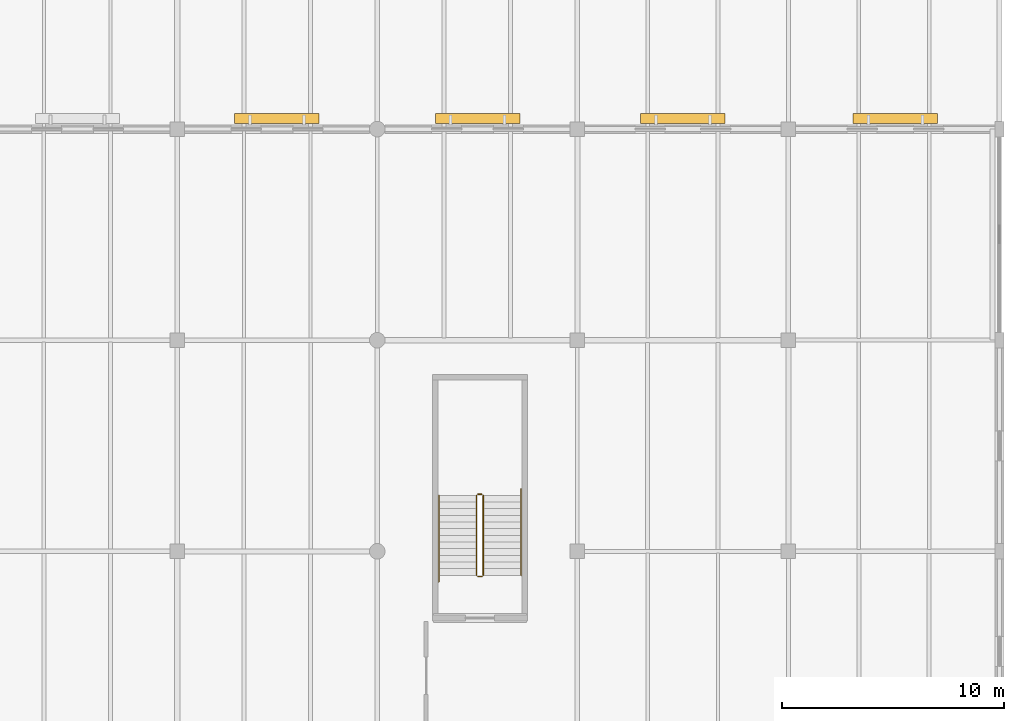
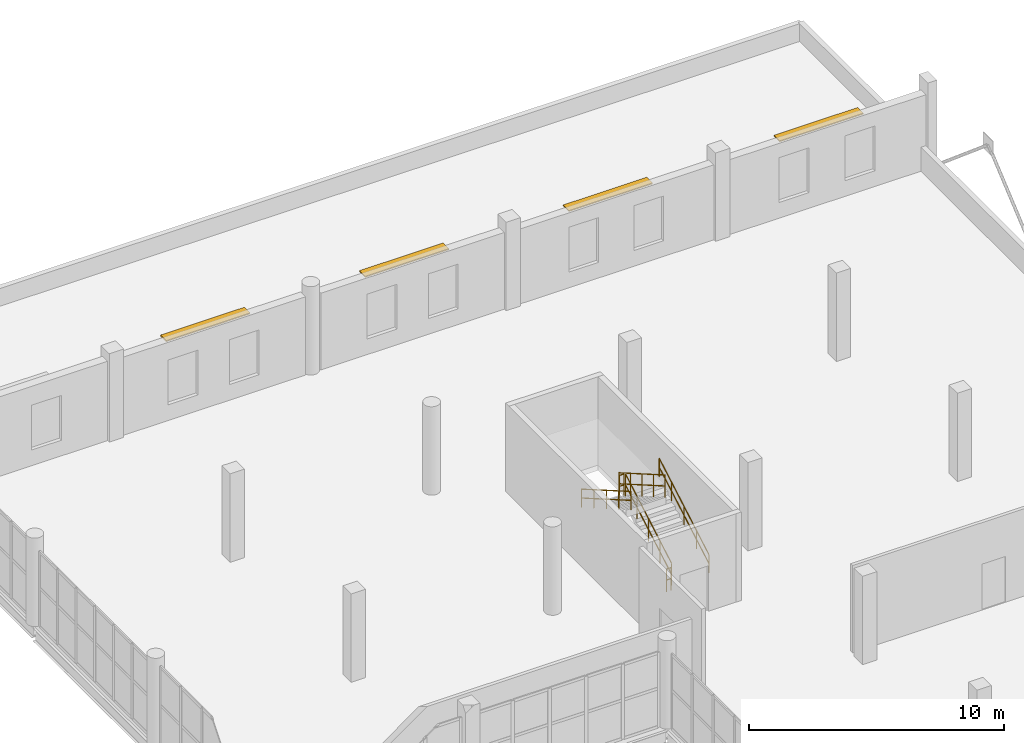
# One storey, part 85 of 85: 6 railings, 4 shading devices.
"""IFC4 building model written with IfcOpenShell, lengths in metres."""

from ifc_helpers import new_model, si_unit, direction, frame, origin, origin_2d, place, context, subcontext, project, spatial, rectangle, circle, extrude, material, layer, layer_set, type_object, element, save


model = new_model("IFC4")

# Units and contexts
model_context = context("Model", 3, precision=1e-05, world=origin(), true_north=direction((0.0, 1.0)))
body_context = subcontext(model_context, "Body", "Model", "MODEL_VIEW")
ifc_project = project(units=[si_unit("LENGTHUNIT", "METRE"), si_unit("AREAUNIT", "SQUARE_METRE"), si_unit("VOLUMEUNIT", "CUBIC_METRE"), si_unit("PLANEANGLEUNIT", "RADIAN"), si_unit("MASSUNIT", "GRAM", prefix="KILO")], contexts=[model_context])

# Site, building, storey
site_placement = place(None, origin())
site = spatial("IfcSite", under=ifc_project, at=site_placement, CompositionType="ELEMENT")
building_placement = place(site_placement, origin())
building = spatial("IfcBuilding", under=site, at=building_placement, Name="Marnock Terrace Opera House", CompositionType="ELEMENT")
storey_placement = place(building_placement, frame((0.0, 0.0, 10.199951171875)))
storey = spatial("IfcBuildingStorey", under=building, at=storey_placement, Name="L02", CompositionType="ELEMENT", Elevation=10.199951171875)

# Railings
ifc_material_1 = material(Name="Architectural bronze balustrade")
railing_type_1 = type_object("IfcRailingType", Name="RL-GUARD-1100", PredefinedType="GUARDRAIL", material=ifc_material_1)
railing_1_placement = place(storey_placement, frame((140.77001953125, 73.919921875, 0.173095703125)))
element("IfcRailing", 1, at=railing_1_placement, inside=storey, type_object=railing_type_1, Name="L02 ST-08 stair guard 1", PredefinedType="GUARDRAIL", context=body_context, shape_type="SweptSolid", body=[
    extrude(circle(Radius=0.02392578125, at=origin_2d()), frame((0.0, 0.0, 1.076171875), z_axis=(0.0, 0.866193409371, 0.499708892819), x_axis=(-1.0, 0.0, 0.0)), (0.0, 0.0, 1.0), 4.15625),
    extrude(circle(Radius=0.02392578125, at=origin_2d()), frame((0.0, 0.0, 0.550048828125), z_axis=(0.0, 0.866193409371, 0.499708892819), x_axis=(-1.0, 0.0, 0.0)), (0.0, 0.0, 1.0), 4.15625),
    extrude(circle(Radius=0.02099609375, at=origin_2d()), origin(), (0.0, 0.0, 1.0), 1.052001953125),
    extrude(circle(Radius=0.02099609375, at=origin_2d()), frame((0.0, 0.89990234375, 0.519287109375)), (0.0, 0.0, 1.0), 1.052001953125),
    extrude(circle(Radius=0.02099609375, at=origin_2d()), frame((0.0, 1.800048828125, 1.03857421875)), (0.0, 0.0, 1.0), 1.052001953125),
    extrude(circle(Radius=0.02099609375, at=origin_2d()), frame((0.0, 2.7001953125, 1.5576171875)), (0.0, 0.0, 1.0), 1.052001953125),
    extrude(circle(Radius=0.02099609375, at=origin_2d()), frame((0.0, 3.60009765625, 2.076904296875)), (0.0, 0.0, 1.0), 1.052001953125),
])
railing_2_placement = place(storey_placement, frame((140.719970703125, 77.570068359375, 2.25)))
element("IfcRailing", 2, at=railing_2_placement, inside=storey, type_object=railing_type_1, Name="L02 ST-08 stair guard 2", PredefinedType="GUARDRAIL", context=body_context, shape_type="SweptSolid", body=[
    extrude(circle(Radius=0.02392578125, at=origin_2d()), frame((0.0, 0.0, 1.076171875), z_axis=(-1.0, 0.0, 0.0), x_axis=(0.0, -1.0, 0.0)), (0.0, 0.0, 1.0), 0.199951171875),
    extrude(circle(Radius=0.02392578125, at=origin_2d()), frame((0.0, 0.0, 0.550048828125), z_axis=(-1.0, 0.0, 0.0), x_axis=(0.0, -1.0, 0.0)), (0.0, 0.0, 1.0), 0.199951171875),
    extrude(circle(Radius=0.02099609375, at=origin_2d()), origin(), (0.0, 0.0, 1.0), 1.052001953125),
    extrude(circle(Radius=0.02099609375, at=origin_2d()), frame((-0.199951171875, 0.0, 0.0)), (0.0, 0.0, 1.0), 1.052001953125),
])
railing_3_placement = place(storey_placement, frame((140.469970703125, 77.52001953125, 2.423095703125)))
element("IfcRailing", 3, at=railing_3_placement, inside=storey, type_object=railing_type_1, Name="L02 ST-08 stair guard 3", PredefinedType="GUARDRAIL", context=body_context, shape_type="SweptSolid", body=[
    extrude(circle(Radius=0.02392578125, at=origin_2d()), frame((0.0, 0.0, 1.076171875), z_axis=(0.0, -0.866193409371, 0.499708892819), x_axis=(1.0, 0.0, 0.0)), (0.0, 0.0, 1.0), 4.15625),
    extrude(circle(Radius=0.02392578125, at=origin_2d()), frame((0.0, 0.0, 0.550048828125), z_axis=(0.0, -0.866193409371, 0.499708892819), x_axis=(1.0, 0.0, 0.0)), (0.0, 0.0, 1.0), 4.15625),
    extrude(circle(Radius=0.02099609375, at=origin_2d()), origin(), (0.0, 0.0, 1.0), 1.052001953125),
    extrude(circle(Radius=0.02099609375, at=origin_2d()), frame((0.0, -0.89990234375, 0.519287109375)), (0.0, 0.0, 1.0), 1.052001953125),
    extrude(circle(Radius=0.02099609375, at=origin_2d()), frame((0.0, -1.800048828125, 1.03857421875)), (0.0, 0.0, 1.0), 1.052001953125),
    extrude(circle(Radius=0.02099609375, at=origin_2d()), frame((0.0, -2.7001953125, 1.5576171875)), (0.0, 0.0, 1.0), 1.052001953125),
    extrude(circle(Radius=0.02099609375, at=origin_2d()), frame((0.0, -3.60009765625, 2.076904296875)), (0.0, 0.0, 1.0), 1.052001953125),
])
railing_4_placement = place(storey_placement, frame((140.719970703125, 73.8701171875, 0.0)))
element("IfcRailing", 4, at=railing_4_placement, inside=storey, type_object=railing_type_1, Name="L02 ST-08 stair guard 4", PredefinedType="GUARDRAIL", context=body_context, shape_type="SweptSolid", body=[
    extrude(circle(Radius=0.02392578125, at=origin_2d()), frame((0.0, 0.0, 1.076171875), z_axis=(-1.0, 0.0, 0.0), x_axis=(0.0, -1.0, 0.0)), (0.0, 0.0, 1.0), 0.199951171875),
    extrude(circle(Radius=0.02392578125, at=origin_2d()), frame((0.0, 0.0, 0.550048828125), z_axis=(-1.0, 0.0, 0.0), x_axis=(0.0, -1.0, 0.0)), (0.0, 0.0, 1.0), 0.199951171875),
    extrude(circle(Radius=0.02099609375, at=origin_2d()), origin(), (0.0, 0.0, 1.0), 1.052001953125),
    extrude(circle(Radius=0.02099609375, at=origin_2d()), frame((-0.199951171875, 0.0, 0.0)), (0.0, 0.0, 1.0), 1.052001953125),
])
railing_type_2 = type_object("IfcRailingType", Name="RL-HAND-900", PredefinedType="HANDRAIL", material=ifc_material_1)
railing_5_placement = place(storey_placement, frame((142.469970703125, 73.919921875, 0.18505859375)))
element("IfcRailing", 5, at=railing_5_placement, inside=storey, type_object=railing_type_2, Name="L02 ST-08 stair handrail 1", PredefinedType="HANDRAIL", context=body_context, shape_type="SweptSolid", body=[
    extrude(circle(Radius=0.02392578125, at=origin_2d()), frame((0.0, 0.0, 0.8759765625), z_axis=(0.0, 0.866193710181, 0.499708371395), x_axis=(-1.0, 0.0, 0.0)), (0.0, 0.0, 1.0), 4.502685546875),
    extrude(circle(Radius=0.02392578125, at=origin_2d()), frame((0.0, 0.0, 0.449951171875), z_axis=(0.0, 0.866193710181, 0.499708371395), x_axis=(-1.0, 0.0, 0.0)), (0.0, 0.0, 1.0), 4.502685546875),
    extrude(circle(Radius=0.02099609375, at=origin_2d()), origin(), (0.0, 0.0, 1.0), 0.851806640625),
    extrude(circle(Radius=0.02099609375, at=origin_2d()), frame((0.0, 0.97509765625, 0.5625)), (0.0, 0.0, 1.0), 0.851806640625),
    extrude(circle(Radius=0.02099609375, at=origin_2d()), frame((0.0, 1.9501953125, 1.125)), (0.0, 0.0, 1.0), 0.851806640625),
    extrude(circle(Radius=0.02099609375, at=origin_2d()), frame((0.0, 2.925048828125, 1.6875)), (0.0, 0.0, 1.0), 0.851806640625),
    extrude(circle(Radius=0.02099609375, at=origin_2d()), frame((0.0, 3.900146484375, 2.25)), (0.0, 0.0, 1.0), 0.851806640625),
])
railing_6_placement = place(storey_placement, frame((138.77001953125, 77.52001953125, 2.43505859375)))
element("IfcRailing", 6, at=railing_6_placement, inside=storey, type_object=railing_type_2, Name="L02 ST-08 stair handrail 2", PredefinedType="HANDRAIL", context=body_context, shape_type="SweptSolid", body=[
    extrude(circle(Radius=0.02392578125, at=origin_2d()), frame((0.0, 0.0, 0.8759765625), z_axis=(0.0, -0.866180169578, 0.49973184192), x_axis=(1.0, 0.0, 0.0)), (0.0, 0.0, 1.0), 4.50244140625),
    extrude(circle(Radius=0.02392578125, at=origin_2d()), frame((0.0, 0.0, 0.449951171875), z_axis=(0.0, -0.866180169578, 0.49973184192), x_axis=(1.0, 0.0, 0.0)), (0.0, 0.0, 1.0), 4.50244140625),
    extrude(circle(Radius=0.02099609375, at=origin_2d()), origin(), (0.0, 0.0, 1.0), 0.851806640625),
    extrude(circle(Radius=0.02099609375, at=origin_2d()), frame((0.0, -0.97509765625, 0.5625)), (0.0, 0.0, 1.0), 0.851806640625),
    extrude(circle(Radius=0.02099609375, at=origin_2d()), frame((0.0, -1.949951171875, 1.125)), (0.0, 0.0, 1.0), 0.851806640625),
    extrude(circle(Radius=0.02099609375, at=origin_2d()), frame((0.0, -2.9248046875, 1.6875)), (0.0, 0.0, 1.0), 0.851806640625),
    extrude(circle(Radius=0.02099609375, at=origin_2d()), frame((0.0, -3.89990234375, 2.25)), (0.0, 0.0, 1.0), 0.851806640625),
])

# Shading devices
ifc_material_2 = material(Name="Architectural cast bronze")
ifc_layer = layer(ifc_material_2, 0.054931640625)
ifc_layer_set = layer_set([ifc_layer], Name="Architectural cast bronze")
shading_device_type = type_object("IfcShadingDeviceType", Name="SHD-LOUVRE-3800", PredefinedType="JALOUSIE", material=ifc_layer_set)
for number, where, z_axis, x_axis, name in (
    (7, (131.487548828125, 94.465087890625, 3.4521484375), (0.0, 0.0, 1.0), (1.0, 0.0, 0.0), "Adelaide sun-control bronze brise-soleil EW-V5N-L02-2"),
    (8, (140.512451171875, 94.465087890625, 3.37939453125), (0.0, 0.0, 1.0), (1.0, 0.0, 0.0), "Adelaide sun-control bronze brise-soleil EW-V5N-L02-3"),
    (9, (149.75, 94.465087890625, 3.29541015625), (0.0, 0.0, 1.0), (1.0, 0.0, 0.0), "Adelaide sun-control bronze brise-soleil EW-V5N-L02-4"),
    (10, (159.3125, 94.465087890625, 3.291015625), (0.0, 0.0, 1.0), (1.0, 0.0, 0.0), "Adelaide sun-control bronze brise-soleil EW-V5N-L02-5"),
):
    element("IfcShadingDevice", number, at=place(storey_placement, frame(where, z_axis=z_axis, x_axis=x_axis)), inside=storey, type_object=shading_device_type, Name=name, PredefinedType="JALOUSIE", context=body_context, shape_type="SweptSolid", body=[
        extrude(rectangle(XDim=3.800048828125, YDim=0.449951171875, at=origin_2d()), origin(), (0.0, 0.0, 1.0), 0.054931640625),
    ])

save(model, "model.ifc")
